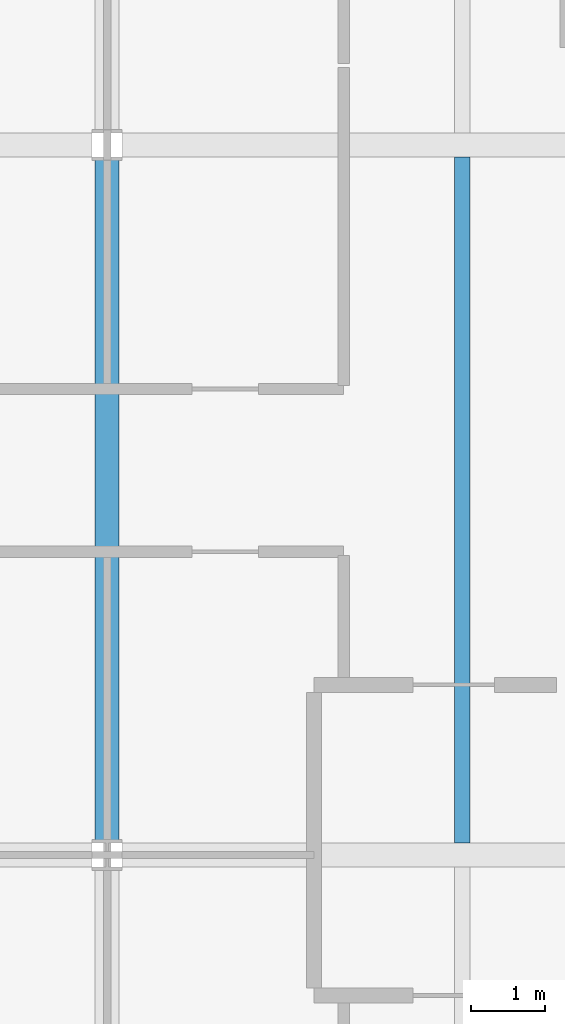
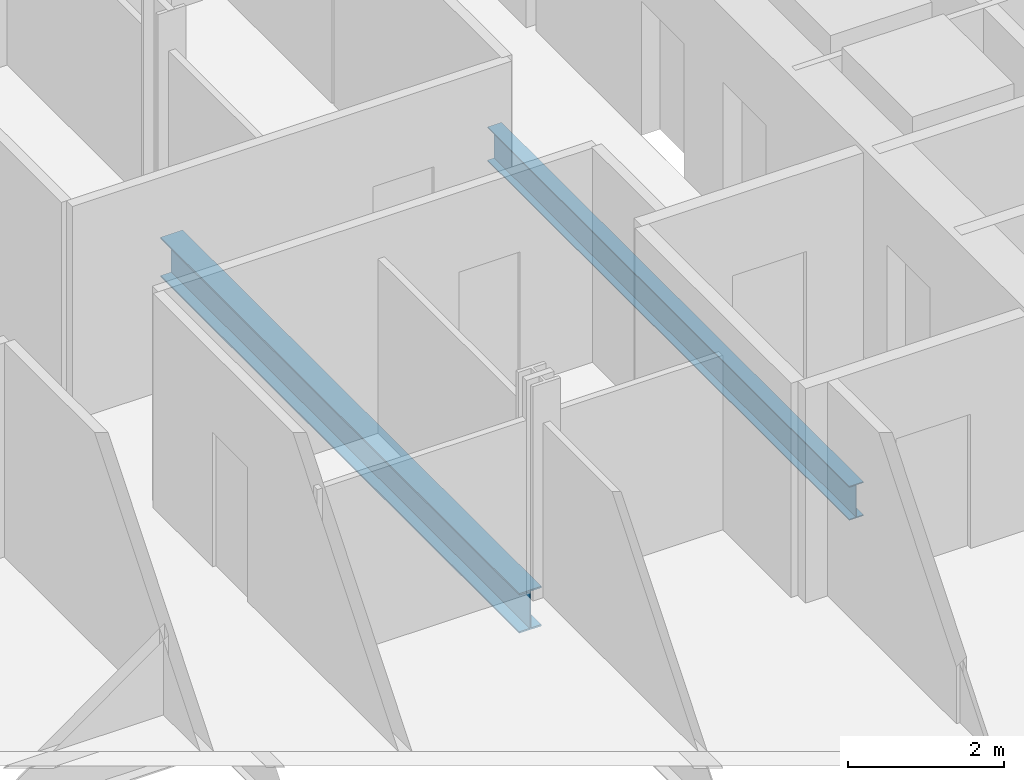
# One storey, part 5 of 25: 2 beams.
"""IFC4 building model written with IfcOpenShell, lengths in metres."""

from ifc_helpers import new_model, si_unit, direction, frame, origin, origin_2d, place, context, subcontext, project, spatial, i_section, extrude, material, material_profile, profile_set, type_object, element, save


model = new_model("IFC4")

# Units and contexts
model_context = context("Model", 3, precision=1e-05, world=origin(), true_north=direction((0.0, 1.0)))
body_context = subcontext(model_context, "Body", "Model", "MODEL_VIEW")
ifc_project = project(units=[si_unit("LENGTHUNIT", "METRE"), si_unit("AREAUNIT", "SQUARE_METRE"), si_unit("VOLUMEUNIT", "CUBIC_METRE"), si_unit("PLANEANGLEUNIT", "RADIAN"), si_unit("MASSUNIT", "GRAM", prefix="KILO")], contexts=[model_context])

# Site, building, storey
site_placement = place(None, origin())
site = spatial("IfcSite", under=ifc_project, at=site_placement, CompositionType="ELEMENT")
building_placement = place(site_placement, origin())
building = spatial("IfcBuilding", under=site, at=building_placement, Name="Cobrizo Arcos Hotel Tower", CompositionType="ELEMENT")
storey_placement = place(building_placement, frame((0.0, 0.0, 53.0)))
storey = spatial("IfcBuildingStorey", under=building, at=storey_placement, Name="L11", CompositionType="ELEMENT", Elevation=53.0)

# Beams
ifc_material = material(Name="Steel ASTM A992 Grade 50", Category="steel")
ifc_material_profile_1 = material_profile(ifc_material, i_section(OverallWidth=0.209228515625, OverallDepth=0.533447265625, WebThickness=0.01025390625, FlangeThickness=0.015625, at=origin_2d()), Name="W21X62")
ifc_profile_set_1 = profile_set([ifc_material_profile_1], Name="Steel ASTM A992 Grade 50")
beam_type_1 = type_object("IfcBeamType", Name="W21X62 joist", PredefinedType="JOIST", material=ifc_profile_set_1)
beam_1_placement = place(storey_placement, frame((14.39990234375, 0.163818359375, -0.416748046875), z_axis=(0.0, 1.0, 0.0), x_axis=(-1.0, 0.0, 0.0)))
element("IfcBeam", 1, at=beam_1_placement, inside=storey, type_object=beam_type_1, Name="Floor joist J1, L11, no. 017", PredefinedType="JOIST", context=body_context, shape_type="SweptSolid", body=[
    extrude(i_section(OverallWidth=0.209228515625, OverallDepth=0.533447265625, WebThickness=0.01025390625, FlangeThickness=0.015625, at=origin_2d()), origin(), (0.0, 0.0, 1.0), 9.272216796875),
])
ifc_material_profile_2 = material_profile(ifc_material, i_section(OverallWidth=0.32763671875, OverallDepth=0.622314453125, WebThickness=0.015380859375, FlangeThickness=0.0244140625, at=origin_2d()), Name="W24X131")
ifc_profile_set_2 = profile_set([ifc_material_profile_2], Name="Steel ASTM A992 Grade 50")
beam_type_2 = type_object("IfcBeamType", Name="W24X131 girder", PredefinedType="BEAM", material=ifc_profile_set_2)
beam_2_placement = place(storey_placement, frame((9.60009765625, 0.204345703125, -0.461181640625), z_axis=(0.0, 1.0, 0.0), x_axis=(-1.0, 0.0, 0.0)))
element("IfcBeam", 2, at=beam_2_placement, inside=storey, type_object=beam_type_2, Name="Floor girder G1, L11, no. 023", PredefinedType="BEAM", context=body_context, shape_type="SweptSolid", body=[
    extrude(i_section(OverallWidth=0.32763671875, OverallDepth=0.622314453125, WebThickness=0.015380859375, FlangeThickness=0.0244140625, at=origin_2d()), origin(), (0.0, 0.0, 1.0), 9.191162109375),
])

save(model, "model.ifc")
